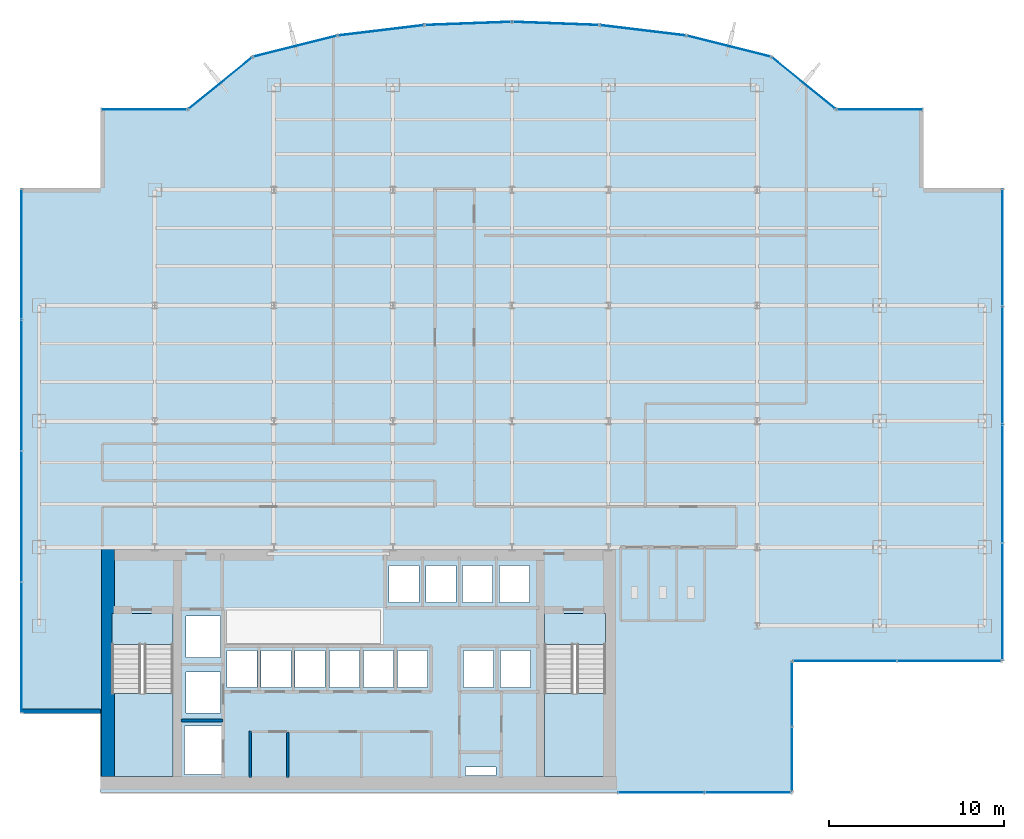
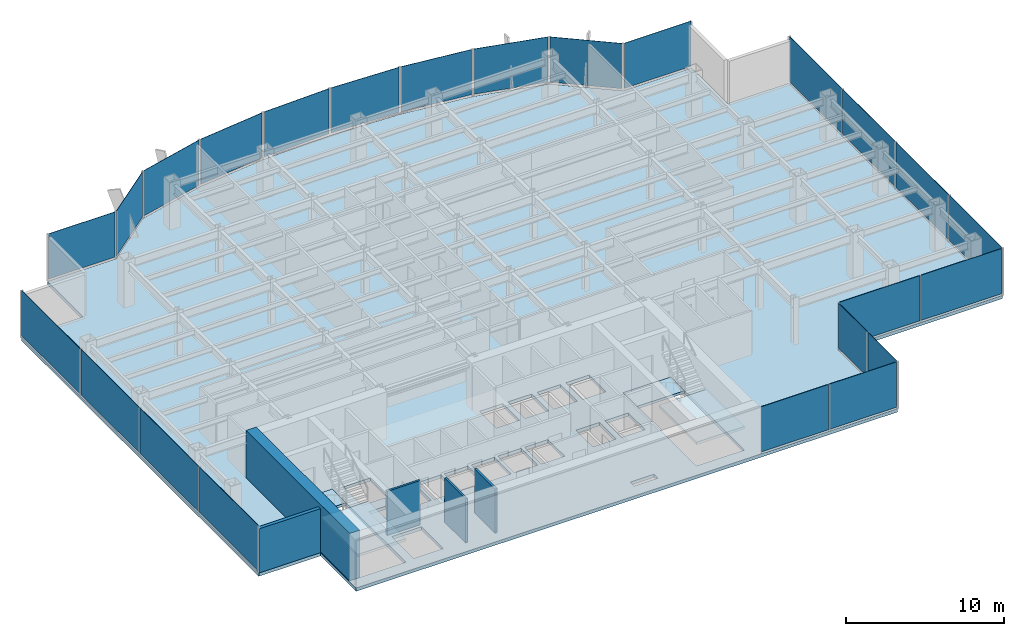
# One storey, part 20 of 26: 24 plates, 5 slabs, 5 walls, 17 elements without a shape of their own.
"""IFC4 building model written with IfcOpenShell, lengths in metres."""

from ifc_helpers import new_model, si_unit, derived_unit, direction, frame, frame_2d, origin, origin_2d, place, context, subcontext, project, spatial, polyline, rectangle, outline, extrude, source, transform, mapped, material, layer, layer_set, type_object, element, aggregate, save


model = new_model("IFC4")

# Units and contexts
model_context = context("Model", 3, precision=1e-05, world=origin(), true_north=direction((0.0, 1.0)))
body_context = subcontext(model_context, "Body", "Model", "MODEL_VIEW")
ifc_project = project(units=[si_unit("LENGTHUNIT", "METRE"), si_unit("AREAUNIT", "SQUARE_METRE"), si_unit("VOLUMEUNIT", "CUBIC_METRE"), si_unit("PLANEANGLEUNIT", "RADIAN"), si_unit("MASSUNIT", "GRAM", prefix="KILO"), derived_unit("THERMALTRANSMITTANCEUNIT", [(si_unit("POWERUNIT", "WATT"), 1), (si_unit("LENGTHUNIT", "METRE"), -2), (si_unit("THERMODYNAMICTEMPERATUREUNIT", "KELVIN"), -1)])], contexts=[model_context])

# Site, building, storey
site_placement = place(None, origin())
site = spatial("IfcSite", under=ifc_project, at=site_placement, CompositionType="ELEMENT")
building_placement = place(site_placement, origin())
building = spatial("IfcBuilding", under=site, at=building_placement, Name="Skarnbrae Concourse Arena and Tower", CompositionType="ELEMENT")
storey_placement = place(building_placement, frame((0.0, 0.0, 114.199951171875)))
storey = spatial("IfcBuildingStorey", under=building, at=storey_placement, Name="L28", CompositionType="ELEMENT", Elevation=114.199951171875)

# Stair, slab
ifc_material_1 = material(Name="Concrete 40 MPa (C40/50)", Category="concrete")
stair_type = type_object("IfcStairType", Name="STAIR-DOGLEG-1650", PredefinedType="HALF_TURN_STAIR", material=ifc_material_1)
stair_1_placement = place(storey_placement, origin())
stair_1 = element("IfcStair", 1, at=stair_1_placement, inside=storey, type_object=stair_type, Name="L28 Protected Exit Stair ST-1", PredefinedType="HALF_TURN_STAIR")
ifc_layer_1 = layer(ifc_material_1, 0.199951171875)
ifc_layer_set_1 = layer_set([ifc_layer_1], Name="Concrete 40 MPa (C40/50)")
slab_type_1 = type_object("IfcSlabType", Name="SLAB-LANDING-200", PredefinedType="LANDING", material=ifc_layer_set_1)
slab_1_placement = place(storey_placement, frame((0.0, 0.0, 1.625)))
slab_1 = element("IfcSlab", 2, at=slab_1_placement, type_object=slab_type_1, Name="ST-1 landing 1", PredefinedType="LANDING", context=body_context, shape_type="SweptSolid", body=[
    extrude(outline(polyline([(5.14990234375, 5.64990234375), (5.14990234375, 0.89990234375), (8.64990234375, 0.89990234375), (8.64990234375, 5.64990234375), (5.14990234375, 5.64990234375)])), origin(), (0.0, 0.0, 1.0), 0.199951171875),
])
aggregate(stair_1, [slab_1])

stair_2_placement = place(storey_placement, origin())
stair_2 = element("IfcStair", 3, at=stair_2_placement, inside=storey, type_object=stair_type, Name="L28 Protected Exit Stair ST-2", PredefinedType="HALF_TURN_STAIR")
slab_2_placement = place(storey_placement, frame((0.0, 0.0, 1.625)))
slab_2 = element("IfcSlab", 4, at=slab_2_placement, type_object=slab_type_1, Name="ST-2 landing 1", PredefinedType="LANDING", context=body_context, shape_type="SweptSolid", body=[
    extrude(outline(polyline([(29.85009765625, 5.64990234375), (29.85009765625, 0.89990234375), (33.35009765625, 0.89990234375), (33.35009765625, 5.64990234375), (29.85009765625, 5.64990234375)])), origin(), (0.0, 0.0, 1.0), 0.199951171875),
])
aggregate(stair_2, [slab_2])

# Slabs
slab_3_placement = place(storey_placement, frame((0.0, 0.0, -0.199951171875)))
element("IfcSlab", 5, at=slab_3_placement, inside=storey, type_object=slab_type_1, Name="L28 Core stair ST1 floor landing", PredefinedType="LANDING", context=body_context, shape_type="SweptSolid", body=[
    extrude(outline(polyline([(5.14990234375, 10.199951171875), (5.14990234375, 8.449951171875), (8.64990234375, 8.449951171875), (8.64990234375, 10.199951171875), (5.14990234375, 10.199951171875)])), origin(), (0.0, 0.0, 1.0), 0.199951171875),
])
slab_4_placement = place(storey_placement, frame((0.0, 0.0, -0.199951171875)))
element("IfcSlab", 6, at=slab_4_placement, inside=storey, type_object=slab_type_1, Name="L28 Core stair ST2 floor landing", PredefinedType="LANDING", context=body_context, shape_type="SweptSolid", body=[
    extrude(outline(polyline([(29.85009765625, 10.199951171875), (29.85009765625, 8.449951171875), (33.35009765625, 8.449951171875), (33.35009765625, 10.199951171875), (29.85009765625, 10.199951171875)])), origin(), (0.0, 0.0, 1.0), 0.199951171875),
])
ifc_layer_2 = layer(ifc_material_1, 0.25)
ifc_layer_set_2 = layer_set([ifc_layer_2], Name="Concrete 40 MPa (C40/50)")
slab_type_2 = type_object("IfcSlabType", Name="SLAB-TOWER-250", PredefinedType="FLOOR", material=ifc_layer_set_2)
slab_5_placement = place(storey_placement, frame((0.0, 0.0, -0.25)))
element("IfcSlab", 7, at=slab_5_placement, inside=storey, type_object=slab_type_2, Name="L28 Structural floor slab", PredefinedType="FLOOR", context=body_context, shape_type="SweptSolid", body=[
    extrude(outline(polyline([(4.5, 0.0), (44.0, 0.0), (44.0, 7.5), (56.0, 7.5), (56.0, 34.5), (51.5, 34.5), (51.5, 39.0), (46.5, 39.0), (42.81103515625, 41.99609375), (37.964111328125, 43.212890625), (32.998779296875, 43.81396484375), (28.0, 44.0), (23.001220703125, 43.81396484375), (18.035888671875, 43.212890625), (13.18896484375, 41.99609375), (9.5, 39.0), (4.5, 39.0), (4.5, 34.5), (0.0, 34.5), (0.0, 4.5), (4.5, 4.5), (4.5, 0.0)]), holes=[polyline([(9.294921875, 3.780029296875), (11.455078125, 3.780029296875), (11.455078125, 1.02001953125), (9.294921875, 1.02001953125), (9.294921875, 3.780029296875)]), polyline([(8.64990234375, 10.199951171875), (8.64990234375, 0.89990234375), (5.14990234375, 0.89990234375), (5.14990234375, 10.199951171875), (8.64990234375, 10.199951171875)]), polyline([(9.39501953125, 6.8798828125), (11.35498046875, 6.8798828125), (11.35498046875, 4.52001953125), (9.39501953125, 4.52001953125), (9.39501953125, 6.8798828125)]), polyline([(11.719970703125, 8.10498046875), (13.429931640625, 8.10498046875), (13.429931640625, 5.9951171875), (11.719970703125, 5.9951171875), (11.719970703125, 8.10498046875)]), polyline([(13.669921875, 8.10498046875), (15.3798828125, 8.10498046875), (15.3798828125, 5.9951171875), (13.669921875, 5.9951171875), (13.669921875, 8.10498046875)]), polyline([(15.6201171875, 8.10498046875), (17.330078125, 8.10498046875), (17.330078125, 5.9951171875), (15.6201171875, 5.9951171875), (15.6201171875, 8.10498046875)]), polyline([(17.570068359375, 8.10498046875), (19.280029296875, 8.10498046875), (19.280029296875, 5.9951171875), (17.570068359375, 5.9951171875), (17.570068359375, 8.10498046875)]), polyline([(21.22998046875, 8.10498046875), (21.22998046875, 5.9951171875), (19.52001953125, 5.9951171875), (19.52001953125, 8.10498046875), (21.22998046875, 8.10498046875)]), polyline([(11.35498046875, 10.054931640625), (11.35498046875, 7.695068359375), (9.39501953125, 7.695068359375), (9.39501953125, 10.054931640625), (11.35498046875, 10.054931640625)]), polyline([(25.35009765625, 1.449951171875), (27.080078125, 1.449951171875), (27.080078125, 0.949951171875), (25.35009765625, 0.949951171875), (25.35009765625, 1.449951171875)]), polyline([(33.35009765625, 10.199951171875), (33.35009765625, 0.89990234375), (29.85009765625, 0.89990234375), (29.85009765625, 10.199951171875), (33.35009765625, 10.199951171875)]), polyline([(21.469970703125, 8.10498046875), (23.179931640625, 8.10498046875), (23.179931640625, 5.9951171875), (21.469970703125, 5.9951171875), (21.469970703125, 8.10498046875)]), polyline([(25.235107421875, 8.10498046875), (26.945068359375, 8.10498046875), (26.945068359375, 5.9951171875), (25.235107421875, 5.9951171875), (25.235107421875, 8.10498046875)]), polyline([(27.3349609375, 8.10498046875), (29.044921875, 8.10498046875), (29.044921875, 5.9951171875), (27.3349609375, 5.9951171875), (27.3349609375, 8.10498046875)]), polyline([(20.985107421875, 12.955078125), (22.695068359375, 12.955078125), (22.695068359375, 10.844970703125), (20.985107421875, 10.844970703125), (20.985107421875, 12.955078125)]), polyline([(23.0849609375, 12.955078125), (24.794921875, 12.955078125), (24.794921875, 10.844970703125), (23.0849609375, 10.844970703125), (23.0849609375, 12.955078125)]), polyline([(26.89501953125, 12.955078125), (26.89501953125, 10.844970703125), (25.18505859375, 10.844970703125), (25.18505859375, 12.955078125), (26.89501953125, 12.955078125)]), polyline([(28.9951171875, 12.955078125), (28.9951171875, 10.844970703125), (27.284912109375, 10.844970703125), (27.284912109375, 12.955078125), (28.9951171875, 12.955078125)])]), origin(), (0.0, 0.0, 1.0), 0.25),
])

# Curtain wall, plates
ifc_material_2 = material(Name="Bronze anodised aluminium 6063-T6", Category="aluminium")
curtain_wall_type_1 = type_object("IfcCurtainWallType", Name="CW-SYS-04-MIDZONE", PredefinedType="USERDEFINED", material=ifc_material_2)
curtain_wall_1_placement = place(storey_placement, origin())
curtain_wall_1 = element("IfcCurtainWall", 8, at=curtain_wall_1_placement, inside=storey, type_object=curtain_wall_type_1, Name="L28 Unitised curtain wall CW-L28-SE-SPINE", ObjectType="UNITISED CURTAIN WALL", PredefinedType="USERDEFINED")
ifc_material_3 = material(Name="Low-E triple insulating glass", Category="glass")
ifc_layer_3 = layer(ifc_material_3, 0.031982421875)
ifc_layer_set_3 = layer_set([ifc_layer_3], Name="Low-E triple insulating glass")
plate_type_1 = type_object("IfcPlateType", Name="CWP-CW-04", PredefinedType="CURTAIN_PANEL", material=ifc_layer_set_3)
shared_shape_1 = source(origin(), body_context, "Body", "SweptSolid", [
    extrude(rectangle(XDim=4.887451171875, YDim=0.031982421875, at=origin_2d()), origin(), (0.0, 0.0, 1.0), 3.489990234375),
])
plate_1_placement = place(storey_placement, frame((36.518798828125, 0.0, 0.16015625), z_axis=(0.0, 0.0, 1.0), x_axis=(1.0, 0.0, 0.0)))
plate_1 = element("IfcPlate", 9, at=plate_1_placement, type_object=plate_type_1, Name="CW-L28-SE-SPINE Low-E Glazing Panel 1", PredefinedType="CURTAIN_PANEL", context=body_context, shape_type="MappedRepresentation", body=[
    mapped(shared_shape_1, transform((0.0, 0.0, 0.0))),
])
plate_2_placement = place(storey_placement, frame((41.481201171875, 0.0, 0.16015625), z_axis=(0.0, 0.0, 1.0), x_axis=(1.0, 0.0, 0.0)))
plate_2 = element("IfcPlate", 10, at=plate_2_placement, type_object=plate_type_1, Name="CW-L28-SE-SPINE Low-E Glazing Panel 2", PredefinedType="CURTAIN_PANEL", context=body_context, shape_type="MappedRepresentation", body=[
    mapped(shared_shape_1, transform((0.0, 0.0, 0.0))),
])
aggregate(curtain_wall_1, [plate_1, plate_2])

curtain_wall_2_placement = place(storey_placement, origin())
curtain_wall_2 = element("IfcCurtainWall", 11, at=curtain_wall_2_placement, inside=storey, type_object=curtain_wall_type_1, Name="L28 Unitised curtain wall CW-L28-E02", ObjectType="UNITISED CURTAIN WALL", PredefinedType="USERDEFINED")
shared_shape_2 = source(origin(), body_context, "Body", "SweptSolid", [
    extrude(rectangle(XDim=3.637451171875, YDim=0.031982421875, at=origin_2d()), origin(), (0.0, 0.0, 1.0), 3.489990234375),
])
plate_3_placement = place(storey_placement, frame((44.0, 1.893798828125, 0.16015625), z_axis=(0.0, 0.0, 1.0), x_axis=(0.0, 1.0, 0.0)))
plate_3 = element("IfcPlate", 12, at=plate_3_placement, type_object=plate_type_1, Name="CW-L28-E02 Low-E Glazing Panel 1", PredefinedType="CURTAIN_PANEL", context=body_context, shape_type="MappedRepresentation", body=[
    mapped(shared_shape_2, transform((0.0, 0.0, 0.0))),
])
plate_4_placement = place(storey_placement, frame((44.0, 5.606201171875, 0.16015625), z_axis=(0.0, 0.0, 1.0), x_axis=(0.0, 1.0, 0.0)))
plate_4 = element("IfcPlate", 13, at=plate_4_placement, type_object=plate_type_1, Name="CW-L28-E02 Low-E Glazing Panel 2", PredefinedType="CURTAIN_PANEL", context=body_context, shape_type="MappedRepresentation", body=[
    mapped(shared_shape_2, transform((0.0, 0.0, 0.0))),
])
aggregate(curtain_wall_2, [plate_3, plate_4])

curtain_wall_3_placement = place(storey_placement, origin())
curtain_wall_3 = element("IfcCurtainWall", 14, at=curtain_wall_3_placement, inside=storey, type_object=curtain_wall_type_1, Name="L28 Unitised curtain wall CW-L28-E03", ObjectType="UNITISED CURTAIN WALL", PredefinedType="USERDEFINED")
shared_shape_3 = source(origin(), body_context, "Body", "SweptSolid", [
    extrude(rectangle(XDim=5.887451171875, YDim=0.031982421875, at=origin_2d()), origin(), (0.0, 0.0, 1.0), 3.489990234375),
])
plate_5_placement = place(storey_placement, frame((47.018798828125, 7.5, 0.16015625), z_axis=(0.0, 0.0, 1.0), x_axis=(1.0, 0.0, 0.0)))
plate_5 = element("IfcPlate", 15, at=plate_5_placement, type_object=plate_type_1, Name="CW-L28-E03 Low-E Glazing Panel 1", PredefinedType="CURTAIN_PANEL", context=body_context, shape_type="MappedRepresentation", body=[
    mapped(shared_shape_3, transform((0.0, 0.0, 0.0))),
])
plate_6_placement = place(storey_placement, frame((52.981201171875, 7.5, 0.16015625), z_axis=(0.0, 0.0, 1.0), x_axis=(1.0, 0.0, 0.0)))
plate_6 = element("IfcPlate", 16, at=plate_6_placement, type_object=plate_type_1, Name="CW-L28-E03 Low-E Glazing Panel 2", PredefinedType="CURTAIN_PANEL", context=body_context, shape_type="MappedRepresentation", body=[
    mapped(shared_shape_3, transform((0.0, 0.0, 0.0))),
])
aggregate(curtain_wall_3, [plate_5, plate_6])

# Curtain wall, plate
curtain_wall_4_placement = place(storey_placement, origin())
curtain_wall_4 = element("IfcCurtainWall", 17, at=curtain_wall_4_placement, inside=storey, type_object=curtain_wall_type_1, Name="L28 Unitised curtain wall CW-L28-E07", ObjectType="UNITISED CURTAIN WALL", PredefinedType="USERDEFINED")
shared_shape_4 = source(origin(), body_context, "Body", "SweptSolid", [
    extrude(rectangle(XDim=4.85009765625, YDim=0.031982421875, at=origin_2d()), origin(), (0.0, 0.0, 1.0), 3.489990234375),
])
plate_7_placement = place(storey_placement, frame((49.0, 39.0, 0.16015625), z_axis=(0.0, 0.0, 1.0), x_axis=(-1.0, 0.0, 0.0)))
plate_7 = element("IfcPlate", 18, at=plate_7_placement, type_object=plate_type_1, Name="CW-L28-E07 Low-E Glazing Panel 1", PredefinedType="CURTAIN_PANEL", context=body_context, shape_type="MappedRepresentation", body=[
    mapped(shared_shape_4, transform((0.0, 0.0, 0.0))),
])
aggregate(curtain_wall_4, [plate_7])

curtain_wall_5_placement = place(storey_placement, origin())
curtain_wall_5 = element("IfcCurtainWall", 19, at=curtain_wall_5_placement, inside=storey, type_object=curtain_wall_type_1, Name="L28 Unitised curtain wall CW-L28-E16", ObjectType="UNITISED CURTAIN WALL", PredefinedType="USERDEFINED")
plate_8_placement = place(storey_placement, frame((7.0, 39.0, 0.16015625), z_axis=(0.0, 0.0, 1.0), x_axis=(-1.0, 0.0, 0.0)))
plate_8 = element("IfcPlate", 20, at=plate_8_placement, type_object=plate_type_1, Name="CW-L28-E16 Low-E Glazing Panel 1", PredefinedType="CURTAIN_PANEL", context=body_context, shape_type="MappedRepresentation", body=[
    mapped(shared_shape_4, transform((0.0, 0.0, 0.0))),
])
aggregate(curtain_wall_5, [plate_8])

curtain_wall_6_placement = place(storey_placement, origin())
curtain_wall_6 = element("IfcCurtainWall", 21, at=curtain_wall_6_placement, inside=storey, type_object=curtain_wall_type_1, Name="L28 Unitised curtain wall CW-L28-E08", ObjectType="UNITISED CURTAIN WALL", PredefinedType="USERDEFINED")
shared_shape_5 = source(origin(), body_context, "Body", "SweptSolid", [
    extrude(rectangle(XDim=4.602294921875, YDim=0.031982421875, at=origin_2d()), origin(), (0.0, 0.0, 1.0), 3.489990234375),
])
plate_9_placement = place(storey_placement, frame((44.655517578125, 40.498046875, 0.16015625), z_axis=(0.0, 0.0, 1.0), x_axis=(-0.776241200471, 0.630436038542, 0.0)))
plate_9 = element("IfcPlate", 22, at=plate_9_placement, type_object=plate_type_1, Name="CW-L28-E08 Low-E Glazing Panel 1", PredefinedType="CURTAIN_PANEL", context=body_context, shape_type="MappedRepresentation", body=[
    mapped(shared_shape_5, transform((0.0, 0.0, 0.0))),
])
aggregate(curtain_wall_6, [plate_9])

curtain_wall_7_placement = place(storey_placement, origin())
curtain_wall_7 = element("IfcCurtainWall", 23, at=curtain_wall_7_placement, inside=storey, type_object=curtain_wall_type_1, Name="L28 Unitised curtain wall CW-L28-E15", ObjectType="UNITISED CURTAIN WALL", PredefinedType="USERDEFINED")
plate_10_placement = place(storey_placement, frame((11.344482421875, 40.498046875, 0.16015625), z_axis=(0.0, 0.0, 1.0), x_axis=(-0.776241200471, -0.630436038542, 0.0)))
plate_10 = element("IfcPlate", 24, at=plate_10_placement, type_object=plate_type_1, Name="CW-L28-E15 Low-E Glazing Panel 1", PredefinedType="CURTAIN_PANEL", context=body_context, shape_type="MappedRepresentation", body=[
    mapped(shared_shape_5, transform((0.0, 0.0, 0.0))),
])
aggregate(curtain_wall_7, [plate_10])

curtain_wall_8_placement = place(storey_placement, origin())
curtain_wall_8 = element("IfcCurtainWall", 25, at=curtain_wall_8_placement, inside=storey, type_object=curtain_wall_type_1, Name="L28 Unitised curtain wall CW-L28-E09", ObjectType="UNITISED CURTAIN WALL", PredefinedType="USERDEFINED")
shared_shape_6 = source(origin(), body_context, "Body", "SweptSolid", [
    extrude(rectangle(XDim=4.847412109375, YDim=0.031982421875, at=origin_2d()), origin(), (0.0, 0.0, 1.0), 3.489990234375),
])
plate_11_placement = place(storey_placement, frame((40.3876953125, 42.6044921875, 0.16015625), z_axis=(0.0, 0.0, 1.0), x_axis=(-0.969903046166, 0.243491439351, 0.0)))
plate_11 = element("IfcPlate", 26, at=plate_11_placement, type_object=plate_type_1, Name="CW-L28-E09 Low-E Glazing Panel 1", PredefinedType="CURTAIN_PANEL", context=body_context, shape_type="MappedRepresentation", body=[
    mapped(shared_shape_6, transform((0.0, 0.0, 0.0))),
])
aggregate(curtain_wall_8, [plate_11])

curtain_wall_9_placement = place(storey_placement, origin())
curtain_wall_9 = element("IfcCurtainWall", 27, at=curtain_wall_9_placement, inside=storey, type_object=curtain_wall_type_1, Name="L28 Unitised curtain wall CW-L28-E14", ObjectType="UNITISED CURTAIN WALL", PredefinedType="USERDEFINED")
plate_12_placement = place(storey_placement, frame((15.6123046875, 42.6044921875, 0.16015625), z_axis=(0.0, 0.0, 1.0), x_axis=(-0.969903046166, -0.243491439351, 0.0)))
plate_12 = element("IfcPlate", 28, at=plate_12_placement, type_object=plate_type_1, Name="CW-L28-E14 Low-E Glazing Panel 1", PredefinedType="CURTAIN_PANEL", context=body_context, shape_type="MappedRepresentation", body=[
    mapped(shared_shape_6, transform((0.0, 0.0, 0.0))),
])
aggregate(curtain_wall_9, [plate_12])

# Curtain wall, plates
curtain_wall_10_placement = place(storey_placement, origin())
curtain_wall_10 = element("IfcCurtainWall", 29, at=curtain_wall_10_placement, inside=storey, type_object=curtain_wall_type_1, Name="L28 Unitised curtain wall CW-L28-E19", ObjectType="UNITISED CURTAIN WALL", PredefinedType="USERDEFINED")
shared_shape_7 = source(origin(), body_context, "Body", "SweptSolid", [
    extrude(rectangle(XDim=7.387451171875, YDim=0.031982421875, at=origin_2d()), origin(), (0.0, 0.0, 1.0), 3.489990234375),
])
plate_13_placement = place(storey_placement, frame((0.0, 30.731201171875, 0.16015625), z_axis=(0.0, 0.0, 1.0), x_axis=(0.0, -1.0, 0.0)))
plate_13 = element("IfcPlate", 30, at=plate_13_placement, type_object=plate_type_1, Name="CW-L28-E19 Low-E Glazing Panel 1", PredefinedType="CURTAIN_PANEL", context=body_context, shape_type="MappedRepresentation", body=[
    mapped(shared_shape_7, transform((0.0, 0.0, 0.0))),
])
plate_14_placement = place(storey_placement, frame((0.0, 8.268798828125, 0.16015625), z_axis=(0.0, 0.0, 1.0), x_axis=(0.0, -1.0, 0.0)))
plate_14 = element("IfcPlate", 31, at=plate_14_placement, type_object=plate_type_1, Name="CW-L28-E19 Low-E Glazing Panel 4", PredefinedType="CURTAIN_PANEL", context=body_context, shape_type="MappedRepresentation", body=[
    mapped(shared_shape_7, transform((0.0, 0.0, 0.0))),
])
shared_shape_8 = source(origin(), body_context, "Body", "SweptSolid", [
    extrude(rectangle(XDim=7.425048828125, YDim=0.031982421875, at=origin_2d()), origin(), (0.0, 0.0, 1.0), 3.489990234375),
])
plate_15_placement = place(storey_placement, frame((0.0, 23.25, 0.16015625), z_axis=(0.0, 0.0, 1.0), x_axis=(0.0, -1.0, 0.0)))
plate_15 = element("IfcPlate", 32, at=plate_15_placement, type_object=plate_type_1, Name="CW-L28-E19 Low-E Glazing Panel 2", PredefinedType="CURTAIN_PANEL", context=body_context, shape_type="MappedRepresentation", body=[
    mapped(shared_shape_8, transform((0.0, 0.0, 0.0))),
])
plate_16_placement = place(storey_placement, frame((0.0, 15.75, 0.16015625), z_axis=(0.0, 0.0, 1.0), x_axis=(0.0, -1.0, 0.0)))
plate_16 = element("IfcPlate", 33, at=plate_16_placement, type_object=plate_type_1, Name="CW-L28-E19 Low-E Glazing Panel 3", PredefinedType="CURTAIN_PANEL", context=body_context, shape_type="MappedRepresentation", body=[
    mapped(shared_shape_8, transform((0.0, 0.0, 0.0))),
])
aggregate(curtain_wall_10, [plate_13, plate_15, plate_16, plate_14])

curtain_wall_11_placement = place(storey_placement, origin())
curtain_wall_11 = element("IfcCurtainWall", 34, at=curtain_wall_11_placement, inside=storey, type_object=curtain_wall_type_1, Name="L28 Unitised curtain wall CW-L28-E04", ObjectType="UNITISED CURTAIN WALL", PredefinedType="USERDEFINED")
shared_shape_9 = source(origin(), body_context, "Body", "SweptSolid", [
    extrude(rectangle(XDim=6.637451171875, YDim=0.031982421875, at=origin_2d()), origin(), (0.0, 0.0, 1.0), 3.489990234375),
])
plate_17_placement = place(storey_placement, frame((56.0, 10.893798828125, 0.16015625), z_axis=(0.0, 0.0, 1.0), x_axis=(0.0, 1.0, 0.0)))
plate_17 = element("IfcPlate", 35, at=plate_17_placement, type_object=plate_type_1, Name="CW-L28-E04 Low-E Glazing Panel 1", PredefinedType="CURTAIN_PANEL", context=body_context, shape_type="MappedRepresentation", body=[
    mapped(shared_shape_9, transform((0.0, 0.0, 0.0))),
])
plate_18_placement = place(storey_placement, frame((56.0, 31.106201171875, 0.16015625), z_axis=(0.0, 0.0, 1.0), x_axis=(0.0, 1.0, 0.0)))
plate_18 = element("IfcPlate", 36, at=plate_18_placement, type_object=plate_type_1, Name="CW-L28-E04 Low-E Glazing Panel 4", PredefinedType="CURTAIN_PANEL", context=body_context, shape_type="MappedRepresentation", body=[
    mapped(shared_shape_9, transform((0.0, 0.0, 0.0))),
])
shared_shape_10 = source(origin(), body_context, "Body", "SweptSolid", [
    extrude(rectangle(XDim=6.675048828125, YDim=0.031982421875, at=origin_2d()), origin(), (0.0, 0.0, 1.0), 3.489990234375),
])
plate_19_placement = place(storey_placement, frame((56.0, 17.625, 0.16015625), z_axis=(0.0, 0.0, 1.0), x_axis=(0.0, 1.0, 0.0)))
plate_19 = element("IfcPlate", 37, at=plate_19_placement, type_object=plate_type_1, Name="CW-L28-E04 Low-E Glazing Panel 2", PredefinedType="CURTAIN_PANEL", context=body_context, shape_type="MappedRepresentation", body=[
    mapped(shared_shape_10, transform((0.0, 0.0, 0.0))),
])
plate_20_placement = place(storey_placement, frame((56.0, 24.375, 0.16015625), z_axis=(0.0, 0.0, 1.0), x_axis=(0.0, 1.0, 0.0)))
plate_20 = element("IfcPlate", 38, at=plate_20_placement, type_object=plate_type_1, Name="CW-L28-E04 Low-E Glazing Panel 3", PredefinedType="CURTAIN_PANEL", context=body_context, shape_type="MappedRepresentation", body=[
    mapped(shared_shape_10, transform((0.0, 0.0, 0.0))),
])
aggregate(curtain_wall_11, [plate_17, plate_19, plate_20, plate_18])

# Curtain wall, plate
curtain_wall_type_2 = type_object("IfcCurtainWallType", Name="CW-SYS-03-PORTAL", PredefinedType="USERDEFINED", material=ifc_material_2)
curtain_wall_12_placement = place(storey_placement, origin())
curtain_wall_12 = element("IfcCurtainWall", 39, at=curtain_wall_12_placement, inside=storey, type_object=curtain_wall_type_2, Name="L28 Unitised curtain wall CW-L28-E10", ObjectType="UNITISED CURTAIN WALL", PredefinedType="USERDEFINED")
ifc_layer_4 = layer(ifc_material_3, 0.033935546875)
ifc_layer_set_4 = layer_set([ifc_layer_4], Name="Low-E triple insulating glass")
plate_type_2 = type_object("IfcPlateType", Name="CWP-CW-03", PredefinedType="CURTAIN_PANEL", material=ifc_layer_set_4)
shared_shape_11 = source(origin(), body_context, "Body", "SweptSolid", [
    extrude(rectangle(XDim=4.841552734375, YDim=0.033935546875, at=origin_2d()), origin(), (0.0, 0.0, 1.0), 3.47998046875),
])
plate_21_placement = place(storey_placement, frame((35.4814453125, 43.513427734375, 0.170166015625), z_axis=(0.0, 0.0, 1.0), x_axis=(-0.992749371969, 0.120202680731, 0.0)))
plate_21 = element("IfcPlate", 40, at=plate_21_placement, type_object=plate_type_2, Name="CW-L28-E10 Low-E Glazing Panel 1", PredefinedType="CURTAIN_PANEL", context=body_context, shape_type="MappedRepresentation", body=[
    mapped(shared_shape_11, transform((0.0, 0.0, 0.0))),
])
aggregate(curtain_wall_12, [plate_21])

curtain_wall_13_placement = place(storey_placement, origin())
curtain_wall_13 = element("IfcCurtainWall", 41, at=curtain_wall_13_placement, inside=storey, type_object=curtain_wall_type_2, Name="L28 Unitised curtain wall CW-L28-E13", ObjectType="UNITISED CURTAIN WALL", PredefinedType="USERDEFINED")
plate_22_placement = place(storey_placement, frame((20.5185546875, 43.513427734375, 0.170166015625), z_axis=(0.0, 0.0, 1.0), x_axis=(-0.992749371969, -0.120202680731, 0.0)))
plate_22 = element("IfcPlate", 42, at=plate_22_placement, type_object=plate_type_2, Name="CW-L28-E13 Low-E Glazing Panel 1", PredefinedType="CURTAIN_PANEL", context=body_context, shape_type="MappedRepresentation", body=[
    mapped(shared_shape_11, transform((0.0, 0.0, 0.0))),
])
aggregate(curtain_wall_13, [plate_22])

curtain_wall_14_placement = place(storey_placement, origin())
curtain_wall_14 = element("IfcCurtainWall", 43, at=curtain_wall_14_placement, inside=storey, type_object=curtain_wall_type_2, Name="L28 Unitised curtain wall CW-L28-E11", ObjectType="UNITISED CURTAIN WALL", PredefinedType="USERDEFINED")
shared_shape_12 = source(origin(), body_context, "Body", "SweptSolid", [
    extrude(rectangle(XDim=4.84228515625, YDim=0.033935546875, at=origin_2d()), origin(), (0.0, 0.0, 1.0), 3.47998046875),
])
plate_23_placement = place(storey_placement, frame((30.49951171875, 43.906982421875, 0.170166015625), z_axis=(0.0, 0.0, 1.0), x_axis=(-0.999308486252, 0.037182647889, 0.0)))
plate_23 = element("IfcPlate", 44, at=plate_23_placement, type_object=plate_type_2, Name="CW-L28-E11 Low-E Glazing Panel 1", PredefinedType="CURTAIN_PANEL", context=body_context, shape_type="MappedRepresentation", body=[
    mapped(shared_shape_12, transform((0.0, 0.0, 0.0))),
])
aggregate(curtain_wall_14, [plate_23])

curtain_wall_15_placement = place(storey_placement, origin())
curtain_wall_15 = element("IfcCurtainWall", 45, at=curtain_wall_15_placement, inside=storey, type_object=curtain_wall_type_2, Name="L28 Unitised curtain wall CW-L28-E12", ObjectType="UNITISED CURTAIN WALL", PredefinedType="USERDEFINED")
plate_24_placement = place(storey_placement, frame((25.50048828125, 43.906982421875, 0.170166015625), z_axis=(0.0, 0.0, 1.0), x_axis=(-0.999308486252, -0.037182647889, 0.0)))
plate_24 = element("IfcPlate", 46, at=plate_24_placement, type_object=plate_type_2, Name="CW-L28-E12 Low-E Glazing Panel 1", PredefinedType="CURTAIN_PANEL", context=body_context, shape_type="MappedRepresentation", body=[
    mapped(shared_shape_12, transform((0.0, 0.0, 0.0))),
])
aggregate(curtain_wall_15, [plate_24])

# Walls
ifc_material_4 = material(Name="Concrete 60 MPa (C60/75)", Category="concrete")
ifc_layer_5 = layer(ifc_material_4, 0.75)
ifc_layer_set_5 = layer_set([ifc_layer_5], Name="Concrete 60 MPa (C60/75)")
wall_type_1 = type_object("IfcWallType", Name="WALL-CORE-750-C60", PredefinedType="SHEAR", material=ifc_layer_set_5)
shared_shape_13 = source(origin(), body_context, "Body", "SweptSolid", [
    extrude(rectangle(XDim=13.10009765625, YDim=0.75, at=frame_2d((6.550048828125, 0.0))), origin(), (0.0, 0.0, 1.0), 3.650146484375),
])
wall_1_placement = place(storey_placement, frame((4.925048828125, 0.89990234375, 0.0), z_axis=(0.0, 0.0, 1.0), x_axis=(0.0, 1.0, 0.0)))
element("IfcWall", 47, at=wall_1_placement, inside=storey, type_object=wall_type_1, Name="L28 Rear core shear wall CW-W", PredefinedType="SHEAR", context=body_context, shape_type="MappedRepresentation", body=[
    mapped(shared_shape_13, transform((0.0, 0.0, 0.0))),
])
ifc_material_5 = material(Name="Precast concrete 40 MPa (C40/50)", Category="concrete")
ifc_layer_6 = layer(ifc_material_5, 0.25)
ifc_layer_set_6 = layer_set([ifc_layer_6], Name="Precast concrete 40 MPa (C40/50)")
wall_type_2 = type_object("IfcWallType", Name="WALL-EXT-SPANDREL-250", PredefinedType="STANDARD", material=ifc_layer_set_6)
shared_shape_14 = source(origin(), body_context, "Body", "SweptSolid", [
    extrude(rectangle(XDim=4.5, YDim=0.25, at=frame_2d((2.25, 0.0))), origin(), (0.0, 0.0, 1.0), 3.400146484375),
])
wall_2_placement = place(storey_placement, frame((0.0, 4.625, 0.0), z_axis=(0.0, 0.0, 1.0), x_axis=(1.0, 0.0, 0.0)))
element("IfcWall", 48, at=wall_2_placement, inside=storey, type_object=wall_type_2, Name="L28 Notched corner insulated return wall 20", PredefinedType="STANDARD", context=body_context, shape_type="MappedRepresentation", body=[
    mapped(shared_shape_14, transform((0.0, 0.0, 0.0))),
])
ifc_material_6 = material(Name="Gypsum board on cold-formed steel studs", Category="steel")
ifc_layer_7 = layer(ifc_material_6, 0.14990234375)
ifc_layer_set_7 = layer_set([ifc_layer_7], Name="Gypsum board on cold-formed steel studs")
wall_type_3 = type_object("IfcWallType", Name="WALL-PART-150", PredefinedType="PARTITIONING", material=ifc_layer_set_7)
shared_shape_15 = source(origin(), body_context, "Body", "SweptSolid", [
    extrude(rectangle(XDim=2.39990234375, YDim=0.14990234375, at=frame_2d((1.199951171875, 0.0))), origin(), (0.0, 0.0, 1.0), 3.400146484375),
])
wall_3_placement = place(storey_placement, frame((9.10009765625, 4.10009765625, 0.0), z_axis=(0.0, 0.0, 1.0), x_axis=(1.0, 0.0, 0.0)))
element("IfcWall", 49, at=wall_3_placement, inside=storey, type_object=wall_type_3, Name="L28 Interior partition wall W-L28-FL-D1", PredefinedType="PARTITIONING", context=body_context, shape_type="MappedRepresentation", body=[
    mapped(shared_shape_15, transform((0.0, 0.0, 0.0))),
])
shared_shape_16 = source(origin(), body_context, "Body", "SweptSolid", [
    extrude(rectangle(XDim=2.599853515625, YDim=0.14990234375, at=frame_2d((1.2998046875, 0.0))), origin(), (0.0, 0.0, 1.0), 3.400146484375),
])
wall_4_placement = place(storey_placement, frame((15.199951171875, 0.85009765625, 0.0), z_axis=(0.0, 0.0, 1.0), x_axis=(0.0, 1.0, 0.0)))
element("IfcWall", 50, at=wall_4_placement, inside=storey, type_object=wall_type_3, Name="L28 Interior partition wall W-L28-B1M-C1", PredefinedType="PARTITIONING", context=body_context, shape_type="MappedRepresentation", body=[
    mapped(shared_shape_16, transform((0.0, 0.0, 0.0))),
])
ifc_layer_8 = layer(ifc_material_6, 0.14990234375)
ifc_layer_set_8 = layer_set([ifc_layer_8], Name="Gypsum board on cold-formed steel studs")
wall_type_4 = type_object("IfcWallType", Name="WALL-PART-150-1HR", PredefinedType="PARTITIONING", material=ifc_layer_set_8)
shared_shape_17 = source(origin(), body_context, "Body", "SweptSolid", [
    extrude(rectangle(XDim=2.64990234375, YDim=0.14990234375, at=frame_2d((1.324951171875, 0.0))), origin(), (0.0, 0.0, 1.0), 3.400146484375),
])
wall_5_placement = place(storey_placement, frame((13.050048828125, 0.85009765625, 0.0), z_axis=(0.0, 0.0, 1.0), x_axis=(0.0, 1.0, 0.0)))
element("IfcWall", 51, at=wall_5_placement, inside=storey, type_object=wall_type_4, Name="L28 Interior partition wall W-L28-B1M-W", PredefinedType="PARTITIONING", context=body_context, shape_type="MappedRepresentation", body=[
    mapped(shared_shape_17, transform((0.0, 0.0, 0.0))),
])

save(model, "model.ifc")
